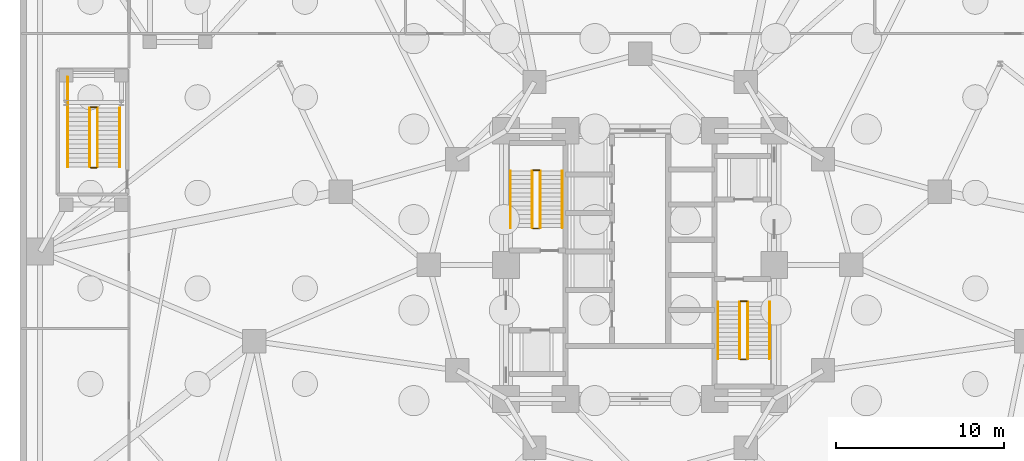
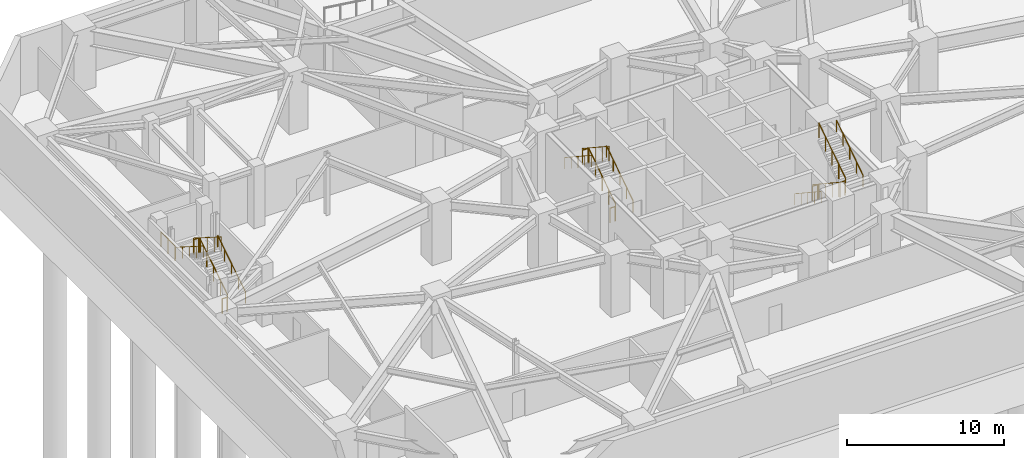
# One storey, part 17 of 20: 19 railings.
"""IFC4 building model written with IfcOpenShell, lengths in metres."""

from ifc_helpers import new_model, si_unit, direction, frame, origin, origin_2d, place, context, subcontext, project, spatial, circle, extrude, material, layer, layer_set, type_object, element, save


model = new_model("IFC4")

# Units and contexts
model_context = context("Model", 3, precision=1e-05, world=origin(), true_north=direction((0.0, 1.0)))
body_context = subcontext(model_context, "Body", "Model", "MODEL_VIEW")
ifc_project = project(units=[si_unit("LENGTHUNIT", "METRE"), si_unit("AREAUNIT", "SQUARE_METRE"), si_unit("VOLUMEUNIT", "CUBIC_METRE"), si_unit("PLANEANGLEUNIT", "RADIAN"), si_unit("MASSUNIT", "GRAM", prefix="KILO")], contexts=[model_context])

# Site, building, storey
site_placement = place(None, origin())
site = spatial("IfcSite", under=ifc_project, at=site_placement, CompositionType="ELEMENT")
building_placement = place(site_placement, origin())
building = spatial("IfcBuilding", under=site, at=building_placement, Name="Terralouvre Media Tower", CompositionType="ELEMENT")
storey_placement = place(building_placement, frame((0.0, 0.0, -9.60009765625)))
storey = spatial("IfcBuildingStorey", under=building, at=storey_placement, Name="B02", CompositionType="ELEMENT", Elevation=-9.60009765625)

# Railings
ifc_material_1 = material(Name="Stainless steel 316 handrail and balustrade", Category="steel")
ifc_layer_1 = layer(ifc_material_1, 0.050048828125, Name="Stair Flight Wall Handrail HR-INT1")
ifc_layer_set_1 = layer_set([ifc_layer_1], Name="Stainless steel 316 handrail and balustrade")
railing_type_1 = type_object("IfcRailingType", Name="Stair Flight Wall Handrail HR-INT1", PredefinedType="HANDRAIL", material=ifc_layer_set_1)
railing_1_placement = place(storey_placement, frame((-4.64990234375, 2.219970703125, 0.171630859375)))
element("IfcRailing", 1, at=railing_1_placement, inside=storey, type_object=railing_type_1, Name="B02 ST-01 stair handrail 1", PredefinedType="HANDRAIL", context=body_context, shape_type="SweptSolid", body=[
    extrude(circle(Radius=0.02392578125, at=origin_2d()), frame((0.0, 0.0, 0.8759765625), z_axis=(0.0, 0.834878220475, 0.550434698194), x_axis=(-1.0, 0.0, 0.0)), (0.0, 0.0, 1.0), 4.048583984375),
    extrude(circle(Radius=0.02099609375, at=origin_2d()), origin(), (0.0, 0.0, 1.0), 0.851806640625),
    extrude(circle(Radius=0.02099609375, at=origin_2d()), frame((0.0, 0.844970703125, 0.55712890625)), (0.0, 0.0, 1.0), 0.851806640625),
    extrude(circle(Radius=0.02099609375, at=origin_2d()), frame((0.0, 1.68994140625, 1.1142578125)), (0.0, 0.0, 1.0), 0.851806640625),
    extrude(circle(Radius=0.02099609375, at=origin_2d()), frame((0.0, 2.53515625, 1.67138671875)), (0.0, 0.0, 1.0), 0.851806640625),
    extrude(circle(Radius=0.02099609375, at=origin_2d()), frame((0.0, 3.380126953125, 2.228515625)), (0.0, 0.0, 1.0), 0.851806640625),
])
for number, where, name in (
    (2, (-7.72998046875, 5.60009765625, 2.571533203125), "B02 ST-01 stair handrail 2"),
    (3, (4.64990234375, -2.219970703125, 0.171630859375), "B02 ST-02 stair handrail 1"),
):
    element("IfcRailing", number, at=place(storey_placement, frame(where)), inside=storey, type_object=railing_type_1, Name=name, PredefinedType="HANDRAIL", context=body_context, shape_type="SweptSolid", body=[
        extrude(circle(Radius=0.02392578125, at=origin_2d()), frame((0.0, 0.0, 0.8759765625), z_axis=(0.0, -0.834878220475, 0.550434698194), x_axis=(1.0, 0.0, 0.0)), (0.0, 0.0, 1.0), 4.048583984375),
        extrude(circle(Radius=0.02099609375, at=origin_2d()), origin(), (0.0, 0.0, 1.0), 0.851806640625),
        extrude(circle(Radius=0.02099609375, at=origin_2d()), frame((0.0, -0.844970703125, 0.55712890625)), (0.0, 0.0, 1.0), 0.851806640625),
        extrude(circle(Radius=0.02099609375, at=origin_2d()), frame((0.0, -1.68994140625, 1.1142578125)), (0.0, 0.0, 1.0), 0.851806640625),
        extrude(circle(Radius=0.02099609375, at=origin_2d()), frame((0.0, -2.53515625, 1.67138671875)), (0.0, 0.0, 1.0), 0.851806640625),
        extrude(circle(Radius=0.02099609375, at=origin_2d()), frame((0.0, -3.380126953125, 2.228515625)), (0.0, 0.0, 1.0), 0.851806640625),
    ])
railing_2_placement = place(storey_placement, frame((7.72998046875, -5.60009765625, 2.571533203125)))
element("IfcRailing", 4, at=railing_2_placement, inside=storey, type_object=railing_type_1, Name="B02 ST-02 stair handrail 2", PredefinedType="HANDRAIL", context=body_context, shape_type="SweptSolid", body=[
    extrude(circle(Radius=0.02392578125, at=origin_2d()), frame((0.0, 0.0, 0.8759765625), z_axis=(0.0, 0.834878220475, 0.550434698194), x_axis=(-1.0, 0.0, 0.0)), (0.0, 0.0, 1.0), 4.048583984375),
    extrude(circle(Radius=0.02099609375, at=origin_2d()), origin(), (0.0, 0.0, 1.0), 0.851806640625),
    extrude(circle(Radius=0.02099609375, at=origin_2d()), frame((0.0, 0.844970703125, 0.55712890625)), (0.0, 0.0, 1.0), 0.851806640625),
    extrude(circle(Radius=0.02099609375, at=origin_2d()), frame((0.0, 1.68994140625, 1.1142578125)), (0.0, 0.0, 1.0), 0.851806640625),
    extrude(circle(Radius=0.02099609375, at=origin_2d()), frame((0.0, 2.53515625, 1.67138671875)), (0.0, 0.0, 1.0), 0.851806640625),
    extrude(circle(Radius=0.02099609375, at=origin_2d()), frame((0.0, 3.380126953125, 2.228515625)), (0.0, 0.0, 1.0), 0.851806640625),
])
railing_3_placement = place(storey_placement, frame((-31.050048828125, 5.85009765625, 0.171630859375)))
element("IfcRailing", 5, at=railing_3_placement, inside=storey, type_object=railing_type_1, Name="B02 ST-03 stair handrail 1", PredefinedType="HANDRAIL", context=body_context, shape_type="SweptSolid", body=[
    extrude(circle(Radius=0.02392578125, at=origin_2d()), frame((0.0, 0.0, 0.8759765625), z_axis=(0.0, 0.844219563411, 0.53599750816), x_axis=(-1.0, 0.0, 0.0)), (0.0, 0.0, 1.0), 4.15771484375),
    extrude(circle(Radius=0.02099609375, at=origin_2d()), origin(), (0.0, 0.0, 1.0), 0.851806640625),
    extrude(circle(Radius=0.02099609375, at=origin_2d()), frame((0.0, 0.87744140625, 0.55712890625)), (0.0, 0.0, 1.0), 0.851806640625),
    extrude(circle(Radius=0.02099609375, at=origin_2d()), frame((0.0, 1.7548828125, 1.1142578125)), (0.0, 0.0, 1.0), 0.851806640625),
    extrude(circle(Radius=0.02099609375, at=origin_2d()), frame((0.0, 2.632568359375, 1.67138671875)), (0.0, 0.0, 1.0), 0.851806640625),
    extrude(circle(Radius=0.02099609375, at=origin_2d()), frame((0.0, 3.510009765625, 2.228515625)), (0.0, 0.0, 1.0), 0.851806640625),
])
railing_4_placement = place(storey_placement, frame((-34.14990234375, 9.360107421875, 2.571533203125)))
element("IfcRailing", 6, at=railing_4_placement, inside=storey, type_object=railing_type_1, Name="B02 ST-03 stair handrail 2", PredefinedType="HANDRAIL", context=body_context, shape_type="SweptSolid", body=[
    extrude(circle(Radius=0.02392578125, at=origin_2d()), frame((0.0, 0.0, 0.8759765625), z_axis=(0.0, -0.844219563411, 0.53599750816), x_axis=(1.0, 0.0, 0.0)), (0.0, 0.0, 1.0), 4.15771484375),
    extrude(circle(Radius=0.02099609375, at=origin_2d()), origin(), (0.0, 0.0, 1.0), 0.851806640625),
    extrude(circle(Radius=0.02099609375, at=origin_2d()), frame((0.0, -0.87744140625, 0.55712890625)), (0.0, 0.0, 1.0), 0.851806640625),
    extrude(circle(Radius=0.02099609375, at=origin_2d()), frame((0.0, -1.7548828125, 1.1142578125)), (0.0, 0.0, 1.0), 0.851806640625),
    extrude(circle(Radius=0.02099609375, at=origin_2d()), frame((0.0, -2.632568359375, 1.67138671875)), (0.0, 0.0, 1.0), 0.851806640625),
    extrude(circle(Radius=0.02099609375, at=origin_2d()), frame((0.0, -3.510009765625, 2.228515625)), (0.0, 0.0, 1.0), 0.851806640625),
])
ifc_material_2 = material(Name="Stainless steel 316 handrail and balustrade", Category="steel")
ifc_layer_2 = layer(ifc_material_2, 0.050048828125, Name="Stairwell Safety Guardrail GR-INT1")
ifc_layer_set_2 = layer_set([ifc_layer_2], Name="Stainless steel 316 handrail and balustrade")
railing_type_2 = type_object("IfcRailingType", Name="Stairwell Safety Guardrail GR-INT1", PredefinedType="GUARDRAIL", material=ifc_layer_set_2)
railing_5_placement = place(storey_placement, frame((-5.949951171875, 2.219970703125, 0.171630859375)))
element("IfcRailing", 7, at=railing_5_placement, inside=storey, type_object=railing_type_2, Name="B02 ST-01 stair guard 1", PredefinedType="GUARDRAIL", context=body_context, shape_type="SweptSolid", body=[
    extrude(circle(Radius=0.02392578125, at=origin_2d()), frame((0.0, 0.0, 1.1259765625), z_axis=(0.0, 0.834878220475, 0.550434698194), x_axis=(-1.0, 0.0, 0.0)), (0.0, 0.0, 1.0), 4.048583984375),
    extrude(circle(Radius=0.02099609375, at=origin_2d()), origin(), (0.0, 0.0, 1.0), 1.101806640625),
    extrude(circle(Radius=0.02099609375, at=origin_2d()), frame((0.0, 0.844970703125, 0.55712890625)), (0.0, 0.0, 1.0), 1.101806640625),
    extrude(circle(Radius=0.02099609375, at=origin_2d()), frame((0.0, 1.68994140625, 1.1142578125)), (0.0, 0.0, 1.0), 1.101806640625),
    extrude(circle(Radius=0.02099609375, at=origin_2d()), frame((0.0, 2.53515625, 1.67138671875)), (0.0, 0.0, 1.0), 1.101806640625),
    extrude(circle(Radius=0.02099609375, at=origin_2d()), frame((0.0, 3.380126953125, 2.228515625)), (0.0, 0.0, 1.0), 1.101806640625),
])
railing_6_placement = place(storey_placement, frame((-6.0, 5.64990234375, 2.400146484375)))
element("IfcRailing", 8, at=railing_6_placement, inside=storey, type_object=railing_type_2, Name="B02 ST-01 stair guard 2", PredefinedType="GUARDRAIL", context=body_context, shape_type="SweptSolid", body=[
    extrude(circle(Radius=0.02392578125, at=origin_2d()), frame((0.0, 0.0, 1.1259765625), z_axis=(-1.0, 0.0, 0.0), x_axis=(0.0, -1.0, 0.0)), (0.0, 0.0, 1.0), 0.3798828125),
    extrude(circle(Radius=0.02099609375, at=origin_2d()), origin(), (0.0, 0.0, 1.0), 1.101806640625),
    extrude(circle(Radius=0.02099609375, at=origin_2d()), frame((-0.3798828125, 0.0, 0.0)), (0.0, 0.0, 1.0), 1.101806640625),
])
railing_7_placement = place(storey_placement, frame((-6.429931640625, 5.60009765625, 2.571533203125)))
element("IfcRailing", 9, at=railing_7_placement, inside=storey, type_object=railing_type_2, Name="B02 ST-01 stair guard 3", PredefinedType="GUARDRAIL", context=body_context, shape_type="SweptSolid", body=[
    extrude(circle(Radius=0.02392578125, at=origin_2d()), frame((0.0, 0.0, 1.1259765625), z_axis=(0.0, -0.834878220475, 0.550434698194), x_axis=(1.0, 0.0, 0.0)), (0.0, 0.0, 1.0), 4.048583984375),
    extrude(circle(Radius=0.02099609375, at=origin_2d()), origin(), (0.0, 0.0, 1.0), 1.101806640625),
    extrude(circle(Radius=0.02099609375, at=origin_2d()), frame((0.0, -0.844970703125, 0.55712890625)), (0.0, 0.0, 1.0), 1.101806640625),
    extrude(circle(Radius=0.02099609375, at=origin_2d()), frame((0.0, -1.68994140625, 1.1142578125)), (0.0, 0.0, 1.0), 1.101806640625),
    extrude(circle(Radius=0.02099609375, at=origin_2d()), frame((0.0, -2.53515625, 1.67138671875)), (0.0, 0.0, 1.0), 1.101806640625),
    extrude(circle(Radius=0.02099609375, at=origin_2d()), frame((0.0, -3.380126953125, 2.228515625)), (0.0, 0.0, 1.0), 1.101806640625),
])
railing_8_placement = place(storey_placement, frame((-6.0, 2.169921875, 0.0)))
element("IfcRailing", 10, at=railing_8_placement, inside=storey, type_object=railing_type_2, Name="B02 ST-01 stair guard 4", PredefinedType="GUARDRAIL", context=body_context, shape_type="SweptSolid", body=[
    extrude(circle(Radius=0.02392578125, at=origin_2d()), frame((0.0, 0.0, 1.1259765625), z_axis=(-1.0, 0.0, 0.0), x_axis=(0.0, -1.0, 0.0)), (0.0, 0.0, 1.0), 0.3798828125),
    extrude(circle(Radius=0.02099609375, at=origin_2d()), origin(), (0.0, 0.0, 1.0), 1.101806640625),
    extrude(circle(Radius=0.02099609375, at=origin_2d()), frame((-0.3798828125, 0.0, 0.0)), (0.0, 0.0, 1.0), 1.101806640625),
])
railing_9_placement = place(storey_placement, frame((5.949951171875, -2.219970703125, 0.171630859375)))
element("IfcRailing", 11, at=railing_9_placement, inside=storey, type_object=railing_type_2, Name="B02 ST-02 stair guard 1", PredefinedType="GUARDRAIL", context=body_context, shape_type="SweptSolid", body=[
    extrude(circle(Radius=0.02392578125, at=origin_2d()), frame((0.0, 0.0, 1.1259765625), z_axis=(0.0, -0.834878220475, 0.550434698194), x_axis=(1.0, 0.0, 0.0)), (0.0, 0.0, 1.0), 4.048583984375),
    extrude(circle(Radius=0.02099609375, at=origin_2d()), origin(), (0.0, 0.0, 1.0), 1.101806640625),
    extrude(circle(Radius=0.02099609375, at=origin_2d()), frame((0.0, -0.844970703125, 0.55712890625)), (0.0, 0.0, 1.0), 1.101806640625),
    extrude(circle(Radius=0.02099609375, at=origin_2d()), frame((0.0, -1.68994140625, 1.1142578125)), (0.0, 0.0, 1.0), 1.101806640625),
    extrude(circle(Radius=0.02099609375, at=origin_2d()), frame((0.0, -2.53515625, 1.67138671875)), (0.0, 0.0, 1.0), 1.101806640625),
    extrude(circle(Radius=0.02099609375, at=origin_2d()), frame((0.0, -3.380126953125, 2.228515625)), (0.0, 0.0, 1.0), 1.101806640625),
])
railing_10_placement = place(storey_placement, frame((6.0, -5.64990234375, 2.400146484375)))
element("IfcRailing", 12, at=railing_10_placement, inside=storey, type_object=railing_type_2, Name="B02 ST-02 stair guard 2", PredefinedType="GUARDRAIL", context=body_context, shape_type="SweptSolid", body=[
    extrude(circle(Radius=0.02392578125, at=origin_2d()), frame((0.0, 0.0, 1.1259765625), z_axis=(1.0, 0.0, 0.0), x_axis=(0.0, 1.0, 0.0)), (0.0, 0.0, 1.0), 0.3798828125),
    extrude(circle(Radius=0.02099609375, at=origin_2d()), origin(), (0.0, 0.0, 1.0), 1.101806640625),
    extrude(circle(Radius=0.02099609375, at=origin_2d()), frame((0.3798828125, 0.0, 0.0)), (0.0, 0.0, 1.0), 1.101806640625),
])
railing_11_placement = place(storey_placement, frame((6.429931640625, -5.60009765625, 2.571533203125)))
element("IfcRailing", 13, at=railing_11_placement, inside=storey, type_object=railing_type_2, Name="B02 ST-02 stair guard 3", PredefinedType="GUARDRAIL", context=body_context, shape_type="SweptSolid", body=[
    extrude(circle(Radius=0.02392578125, at=origin_2d()), frame((0.0, 0.0, 1.1259765625), z_axis=(0.0, 0.834878220475, 0.550434698194), x_axis=(-1.0, 0.0, 0.0)), (0.0, 0.0, 1.0), 4.048583984375),
    extrude(circle(Radius=0.02099609375, at=origin_2d()), origin(), (0.0, 0.0, 1.0), 1.101806640625),
    extrude(circle(Radius=0.02099609375, at=origin_2d()), frame((0.0, 0.844970703125, 0.55712890625)), (0.0, 0.0, 1.0), 1.101806640625),
    extrude(circle(Radius=0.02099609375, at=origin_2d()), frame((0.0, 1.68994140625, 1.1142578125)), (0.0, 0.0, 1.0), 1.101806640625),
    extrude(circle(Radius=0.02099609375, at=origin_2d()), frame((0.0, 2.53515625, 1.67138671875)), (0.0, 0.0, 1.0), 1.101806640625),
    extrude(circle(Radius=0.02099609375, at=origin_2d()), frame((0.0, 3.380126953125, 2.228515625)), (0.0, 0.0, 1.0), 1.101806640625),
])
railing_12_placement = place(storey_placement, frame((6.0, -2.169921875, 0.0)))
element("IfcRailing", 14, at=railing_12_placement, inside=storey, type_object=railing_type_2, Name="B02 ST-02 stair guard 4", PredefinedType="GUARDRAIL", context=body_context, shape_type="SweptSolid", body=[
    extrude(circle(Radius=0.02392578125, at=origin_2d()), frame((0.0, 0.0, 1.1259765625), z_axis=(1.0, 0.0, 0.0), x_axis=(0.0, 1.0, 0.0)), (0.0, 0.0, 1.0), 0.3798828125),
    extrude(circle(Radius=0.02099609375, at=origin_2d()), origin(), (0.0, 0.0, 1.0), 1.101806640625),
    extrude(circle(Radius=0.02099609375, at=origin_2d()), frame((0.3798828125, 0.0, 0.0)), (0.0, 0.0, 1.0), 1.101806640625),
])
railing_13_placement = place(storey_placement, frame((-32.3701171875, 5.85009765625, 0.171630859375)))
element("IfcRailing", 15, at=railing_13_placement, inside=storey, type_object=railing_type_2, Name="B02 ST-03 stair guard 1", PredefinedType="GUARDRAIL", context=body_context, shape_type="SweptSolid", body=[
    extrude(circle(Radius=0.02392578125, at=origin_2d()), frame((0.0, 0.0, 1.1259765625), z_axis=(0.0, 0.844219563411, 0.53599750816), x_axis=(-1.0, 0.0, 0.0)), (0.0, 0.0, 1.0), 4.15771484375),
    extrude(circle(Radius=0.02099609375, at=origin_2d()), origin(), (0.0, 0.0, 1.0), 1.101806640625),
    extrude(circle(Radius=0.02099609375, at=origin_2d()), frame((0.0, 0.87744140625, 0.55712890625)), (0.0, 0.0, 1.0), 1.101806640625),
    extrude(circle(Radius=0.02099609375, at=origin_2d()), frame((0.0, 1.7548828125, 1.1142578125)), (0.0, 0.0, 1.0), 1.101806640625),
    extrude(circle(Radius=0.02099609375, at=origin_2d()), frame((0.0, 2.632568359375, 1.67138671875)), (0.0, 0.0, 1.0), 1.101806640625),
    extrude(circle(Radius=0.02099609375, at=origin_2d()), frame((0.0, 3.510009765625, 2.228515625)), (0.0, 0.0, 1.0), 1.101806640625),
])
railing_14_placement = place(storey_placement, frame((-32.419921875, 9.409912109375, 2.400146484375)))
element("IfcRailing", 16, at=railing_14_placement, inside=storey, type_object=railing_type_2, Name="B02 ST-03 stair guard 2", PredefinedType="GUARDRAIL", context=body_context, shape_type="SweptSolid", body=[
    extrude(circle(Radius=0.02392578125, at=origin_2d()), frame((0.0, 0.0, 1.1259765625), z_axis=(-1.0, 0.0, 0.0), x_axis=(0.0, -1.0, 0.0)), (0.0, 0.0, 1.0), 0.360107421875),
    extrude(circle(Radius=0.02099609375, at=origin_2d()), origin(), (0.0, 0.0, 1.0), 1.101806640625),
    extrude(circle(Radius=0.02099609375, at=origin_2d()), frame((-0.360107421875, 0.0, 0.0)), (0.0, 0.0, 1.0), 1.101806640625),
])
railing_15_placement = place(storey_placement, frame((-32.830078125, 9.360107421875, 2.571533203125)))
element("IfcRailing", 17, at=railing_15_placement, inside=storey, type_object=railing_type_2, Name="B02 ST-03 stair guard 3", PredefinedType="GUARDRAIL", context=body_context, shape_type="SweptSolid", body=[
    extrude(circle(Radius=0.02392578125, at=origin_2d()), frame((0.0, 0.0, 1.1259765625), z_axis=(0.0, -0.844219563411, 0.53599750816), x_axis=(1.0, 0.0, 0.0)), (0.0, 0.0, 1.0), 4.15771484375),
    extrude(circle(Radius=0.02099609375, at=origin_2d()), origin(), (0.0, 0.0, 1.0), 1.101806640625),
    extrude(circle(Radius=0.02099609375, at=origin_2d()), frame((0.0, -0.87744140625, 0.55712890625)), (0.0, 0.0, 1.0), 1.101806640625),
    extrude(circle(Radius=0.02099609375, at=origin_2d()), frame((0.0, -1.7548828125, 1.1142578125)), (0.0, 0.0, 1.0), 1.101806640625),
    extrude(circle(Radius=0.02099609375, at=origin_2d()), frame((0.0, -2.632568359375, 1.67138671875)), (0.0, 0.0, 1.0), 1.101806640625),
    extrude(circle(Radius=0.02099609375, at=origin_2d()), frame((0.0, -3.510009765625, 2.228515625)), (0.0, 0.0, 1.0), 1.101806640625),
])
railing_16_placement = place(storey_placement, frame((-32.419921875, 5.800048828125, 0.0)))
element("IfcRailing", 18, at=railing_16_placement, inside=storey, type_object=railing_type_2, Name="B02 ST-03 stair guard 4", PredefinedType="GUARDRAIL", context=body_context, shape_type="SweptSolid", body=[
    extrude(circle(Radius=0.02392578125, at=origin_2d()), frame((0.0, 0.0, 1.1259765625), z_axis=(-1.0, 0.0, 0.0), x_axis=(0.0, -1.0, 0.0)), (0.0, 0.0, 1.0), 0.360107421875),
    extrude(circle(Radius=0.02099609375, at=origin_2d()), origin(), (0.0, 0.0, 1.0), 1.101806640625),
    extrude(circle(Radius=0.02099609375, at=origin_2d()), frame((-0.360107421875, 0.0, 0.0)), (0.0, 0.0, 1.0), 1.101806640625),
])
railing_17_placement = place(storey_placement, frame((-34.159912109375, 9.39990234375, 2.400146484375)))
element("IfcRailing", 19, at=railing_17_placement, inside=storey, type_object=railing_type_2, Name="B02 ST-03 Half-Landing Outer Guardrail", PredefinedType="GUARDRAIL", context=body_context, shape_type="SweptSolid", body=[
    extrude(circle(Radius=0.02392578125, at=origin_2d()), frame((0.0, 0.0, 1.1259765625), z_axis=(0.0, 1.0, 0.0), x_axis=(-1.0, 0.0, 0.0)), (0.0, 0.0, 1.0), 1.81005859375),
    extrude(circle(Radius=0.02099609375, at=origin_2d()), origin(), (0.0, 0.0, 1.0), 1.101806640625),
    extrude(circle(Radius=0.02099609375, at=origin_2d()), frame((0.0, 0.905029296875, 0.0)), (0.0, 0.0, 1.0), 1.101806640625),
    extrude(circle(Radius=0.02099609375, at=origin_2d()), frame((0.0, 1.81005859375, 0.0)), (0.0, 0.0, 1.0), 1.101806640625),
])

save(model, "model.ifc")
